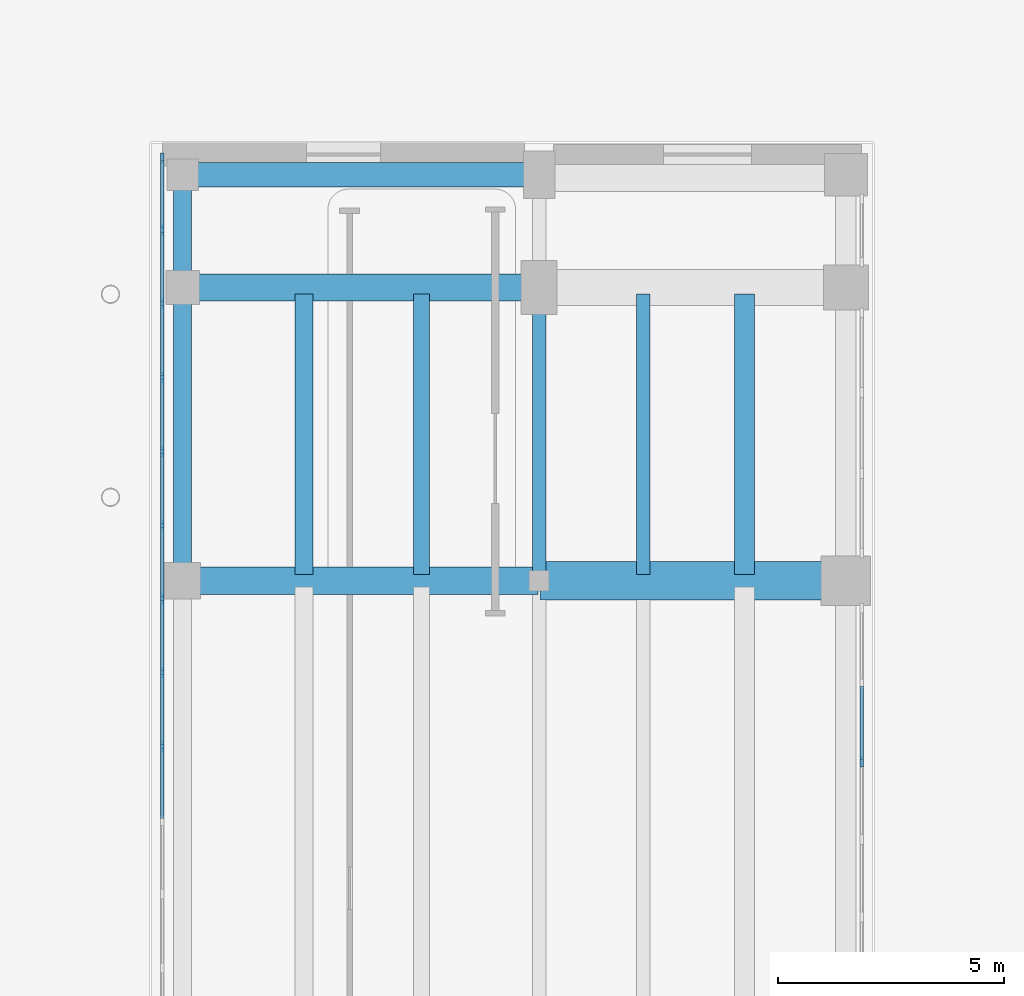
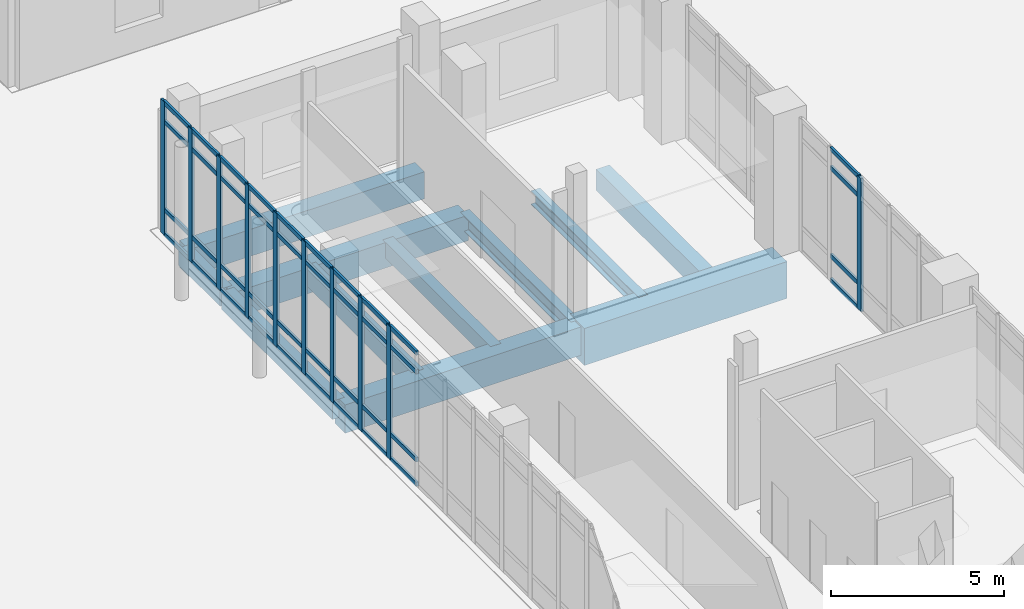
# One storey, part 19 of 74: 50 members, 11 beams, 2 elements without a shape of their own.
"""IFC4 building model written with IfcOpenShell, lengths in metres."""

import ifcopenshell
import ifcopenshell.guid

model = None  # the IFC model being written
_history = None  # IfcOwnerHistory: only IFC2X3 demands one
_inside = {}  # id of a spatial element -> (the spatial element, [elements in it])
_under = {}  # id of a project, library or spatial element -> (it, [spatial elements below it])
_declared = {}  # id of a project -> (the project, [libraries it declares])
_typed = {}  # id of a type object -> (the type object, [elements of that type])
_made_of = {}  # id of a material, layer set ... -> (it, [elements and type objects made of it])


def new_model(schema):
    """Start an empty IFC model of exactly this schema.

    Asked for "IFC4X3", IfcOpenShell would pick the latest addendum, in which some entities
    have other attributes; the version numbers below select the first issue.
    IFC2X3 requires an IfcOwnerHistory on every rooted entity: one is made here for all.
    """
    global model, _history
    if schema == "IFC4X3":
        model = ifcopenshell.file(schema_version=(4, 3, 0, 0))
    else:
        model = ifcopenshell.file(schema=schema)
    _inside.clear()
    _under.clear()
    _declared.clear()
    _typed.clear()
    _made_of.clear()
    _history = None
    if model.schema == "IFC2X3":
        org = make("IfcOrganization", Name="unknown")
        user = make(
            "IfcPersonAndOrganization",
            ThePerson=make("IfcPerson", FamilyName="unknown"),
            TheOrganization=org,
        )
        app = make(
            "IfcApplication",
            ApplicationDeveloper=org,
            Version="unknown",
            ApplicationFullName="unknown",
            ApplicationIdentifier="unknown",
        )
        _history = make(
            "IfcOwnerHistory",
            OwningUser=user,
            OwningApplication=app,
            ChangeAction="ADDED",
            CreationDate=0,
        )
    return model


def make(cls, **values):
    """One entity of the class cls with the attributes given. An attribute that is None is left unset."""
    return model.create_entity(
        cls, **{name: value for name, value in values.items() if value is not None}
    )


def rooted(cls, **values):
    """An entity with a GlobalId (a new one), such as an element, a storey or a relation."""
    return make(cls, GlobalId=ifcopenshell.guid.new(), OwnerHistory=_history, **values)


def si_unit(unit_type, name, prefix=None):
    """IfcSIUnit, for example si_unit("LENGTHUNIT", "METRE", prefix="MILLI")."""
    return make("IfcSIUnit", UnitType=unit_type, Prefix=prefix, Name=name)


def assignment(units):
    """IfcUnitAssignment: the units of a project."""
    return None if units is None else make("IfcUnitAssignment", Units=units)


def point(xyz):
    """IfcCartesianPoint."""
    return None if xyz is None else make("IfcCartesianPoint", Coordinates=xyz)


def direction(xyz):
    """IfcDirection."""
    return None if xyz is None else make("IfcDirection", DirectionRatios=xyz)


def frame(location, z_axis=None, x_axis=None):
    """IfcAxis2Placement3D, a coordinate frame: its origin and axes. An axis left out is left unset."""
    return make(
        "IfcAxis2Placement3D",
        Location=point(location),
        Axis=direction(z_axis),
        RefDirection=direction(x_axis),
    )


def frame_2d(location, x_axis=None):
    """IfcAxis2Placement2D, a coordinate frame in the plane: its origin and x axis."""
    return make(
        "IfcAxis2Placement2D", Location=point(location), RefDirection=direction(x_axis)
    )


def origin():
    """The frame at (0, 0, 0) with its axes left unset."""
    return frame((0.0, 0.0, 0.0))


def origin_2d():
    """The frame at (0, 0) in the plane with its x axis left unset."""
    return frame_2d((0.0, 0.0))


def place(relative_to, where):
    """IfcLocalPlacement: puts the frame where relative to a parent placement (None: the world)."""
    return make(
        "IfcLocalPlacement", PlacementRelTo=relative_to, RelativePlacement=where
    )


def context(
    kind, dimensions, precision=None, world=None, true_north=None, identifier=None
):
    """IfcGeometricRepresentationContext, for example the 3D "Model" context."""
    return make(
        "IfcGeometricRepresentationContext",
        ContextIdentifier=identifier,
        ContextType=kind,
        CoordinateSpaceDimension=dimensions,
        Precision=precision,
        WorldCoordinateSystem=world,
        TrueNorth=true_north,
    )


def subcontext(parent, identifier, kind, view, scale=None):
    """IfcGeometricRepresentationSubContext, for example "Body" below "Model"."""
    return make(
        "IfcGeometricRepresentationSubContext",
        ContextIdentifier=identifier,
        ContextType=kind,
        ParentContext=parent,
        TargetScale=scale,
        TargetView=view,
    )


def project(units=None, contexts=None):
    """IfcProject with its units and contexts."""
    return rooted(
        "IfcProject",
        Name="project",
        RepresentationContexts=contexts,
        UnitsInContext=assignment(units),
    )


def spatial(cls, under=None, at=None, **own):
    """A site, building, storey or space (cls), placed at a placement, below another one or the project."""
    s = rooted(cls, ObjectPlacement=at, **own)
    if under is not None:
        _under.setdefault(under.id(), (under, []))[1].append(s)
    return s


def profile(cls, at=None, kind="AREA", **sizes):
    """A parametric profile (cls). Its sizes go by their IFC names, for example OverallWidth=200.0."""
    return make(cls, ProfileType=kind, Position=at, **sizes)


def rectangle(**sizes):
    """IfcRectangleProfileDef."""
    return profile("IfcRectangleProfileDef", **sizes)


def i_section(**sizes):
    """IfcIShapeProfileDef."""
    return profile("IfcIShapeProfileDef", **sizes)


def extrude(swept, where, along, depth):
    """IfcExtrudedAreaSolid: the profile swept, set in the frame where, extruded along a direction by depth."""
    return make(
        "IfcExtrudedAreaSolid",
        SweptArea=swept,
        Position=where,
        ExtrudedDirection=direction(along),
        Depth=depth,
    )


def shape(context_of_items, identifier, shape_type, items):
    """IfcShapeRepresentation: the items that make up one representation, for example the "Body"."""
    return make(
        "IfcShapeRepresentation",
        ContextOfItems=context_of_items,
        RepresentationIdentifier=identifier,
        RepresentationType=shape_type,
        Items=items,
    )


def material(Name=None, Category=None):
    """IfcMaterial."""
    return make("IfcMaterial", Name=Name, Category=Category)


def material_profile(
    of_material, cross_section, Name=None, Category=None, Priority=None
):
    """IfcMaterialProfile: a cross section and its material."""
    return make(
        "IfcMaterialProfile",
        Name=Name,
        Material=of_material,
        Profile=cross_section,
        Priority=Priority,
        Category=Category,
    )


def profile_set(profiles, Name=None, composite=None):
    """IfcMaterialProfileSet."""
    return make(
        "IfcMaterialProfileSet",
        Name=Name,
        MaterialProfiles=profiles,
        CompositeProfile=composite,
    )


def made_of(thing, what):
    """Note that an element or type object is made of a material, layer set ...; save() writes the relation."""
    if what is not None:
        _made_of.setdefault(what.id(), (what, []))[1].append(thing)
    return thing


def type_object(cls, material=None, **own):
    """A type object (cls), such as IfcWallType, which elements share."""
    return made_of(rooted(cls, **own), material)


def element(
    cls,
    number,
    at=None,
    inside=None,
    cuts=None,
    type_object=None,
    material=None,
    context=None,
    identifier="Body",
    shape_type=None,
    held_by="IfcProductDefinitionShape",
    body=None,
    shapes=None,
    **own,
):
    """One element of the class cls, such as IfcWall. Its Tag is "e" and its number.

    at: its placement. inside: the storey or other place that contains it. cuts: it is an
    opening in that element (IfcRelVoidsElement). A single representation is given by context,
    identifier, shape_type and body (its items); several are given by shapes. held_by: the class
    of the entity that holds the representations. save() writes the other relations.
    """
    e = rooted(cls, Tag="e%d" % number, ObjectPlacement=at, **own)
    if body is not None:
        shapes = [shape(context, identifier, shape_type, body)]
    if shapes is not None:
        e.Representation = make(held_by, Representations=shapes)
    if inside is not None:
        _inside.setdefault(inside.id(), (inside, []))[1].append(e)
    if cuts is not None:
        rooted(
            "IfcRelVoidsElement", RelatingBuildingElement=cuts, RelatedOpeningElement=e
        )
    if type_object is not None:
        _typed.setdefault(type_object.id(), (type_object, []))[1].append(e)
    return made_of(e, material)


def aggregate(whole, parts):
    """IfcRelAggregates: a whole, such as a stair, and the parts it consists of."""
    return rooted("IfcRelAggregates", RelatingObject=whole, RelatedObjects=parts)


def save(model, path):
    """Write the relations noted so far, then the file.

    IfcRelAggregates (storeys below a building ...), IfcRelContainedInSpatialStructure (elements
    in a storey), IfcRelDefinesByType, IfcRelAssociatesMaterial and IfcRelDeclares: one each for
    every whole, place, type object, material and project.
    """
    for whole, parts in _under.values():
        aggregate(whole, parts)
    for where, things in _inside.values():
        rooted(
            "IfcRelContainedInSpatialStructure",
            RelatedElements=things,
            RelatingStructure=where,
        )
    for kind, things in _typed.values():
        rooted("IfcRelDefinesByType", RelatedObjects=things, RelatingType=kind)
    for what, things in _made_of.values():
        rooted("IfcRelAssociatesMaterial", RelatedObjects=things, RelatingMaterial=what)
    for by, libraries in _declared.values():
        rooted("IfcRelDeclares", RelatingContext=by, RelatedDefinitions=libraries)
    model.write(path)


model = new_model("IFC4")

# Units and contexts
model_context = context("Model", 3, precision=1e-05, world=origin(), true_north=direction((0.0, 1.0)))
body_context = subcontext(model_context, "Body", "Model", "MODEL_VIEW")
ifc_project = project(units=[si_unit("LENGTHUNIT", "METRE"), si_unit("AREAUNIT", "SQUARE_METRE"), si_unit("VOLUMEUNIT", "CUBIC_METRE"), si_unit("PLANEANGLEUNIT", "RADIAN"), si_unit("MASSUNIT", "GRAM", prefix="KILO")], contexts=[model_context])

# Site, building, storey
site_placement = place(None, origin())
site = spatial("IfcSite", under=ifc_project, at=site_placement, CompositionType="ELEMENT")
building_placement = place(site_placement, origin())
building = spatial("IfcBuilding", under=site, at=building_placement, Name="Soyqirgoq Riverine Aquarium", CompositionType="ELEMENT")
storey_placement = place(building_placement, origin())
storey = spatial("IfcBuildingStorey", under=building, at=storey_placement, Name="L01", CompositionType="ELEMENT", Elevation=0.0)

# Beams
ifc_material_1 = material(Name="Concrete C40/50", Category="concrete")
ifc_material_profile_1 = material_profile(ifc_material_1, rectangle(XDim=0.39990234375, YDim=0.60009765625, at=origin_2d()), Name="RC 400x600")
ifc_profile_set_1 = profile_set([ifc_material_profile_1], Name="Concrete C40/50")
beam_type_1 = type_object("IfcBeamType", Name="Beam_RC_400x600", PredefinedType="JOIST", material=ifc_profile_set_1)
beam_1_placement = place(storey_placement, frame((114.699951171875, 44.85009765625, -0.64990234375), z_axis=(0.0, 1.0, 0.0), x_axis=(-1.0, 0.0, 0.0)))
element("IfcBeam", 1, at=beam_1_placement, inside=storey, type_object=beam_type_1, Name="V6 L01 North-South Frame Beam 1016", PredefinedType="JOIST", context=body_context, shape_type="SweptSolid", body=[
    extrude(rectangle(XDim=0.39990234375, YDim=0.60009765625, at=origin_2d()), origin(), (0.0, 0.0, 1.0), 2.39990234375),
])
beam_2_placement = place(storey_placement, frame((117.385986328125, 38.43994140625, -0.64990234375), z_axis=(0.0, 1.0, 0.0), x_axis=(-1.0, 0.0, 0.0)))
element("IfcBeam", 2, at=beam_2_placement, inside=storey, type_object=beam_type_1, Name="V6 L01 Secondary Bay Joist 1078", PredefinedType="JOIST", context=body_context, shape_type="SweptSolid", body=[
    extrude(rectangle(XDim=0.39990234375, YDim=0.60009765625, at=origin_2d()), origin(), (0.0, 0.0, 1.0), 6.219970703125),
])
ifc_material_2 = material(Name="Concrete C40/50", Category="concrete")
ifc_material_profile_2 = material_profile(ifc_material_2, rectangle(XDim=0.39990234375, YDim=0.64990234375, at=origin_2d()), Name="RC 400x650")
ifc_profile_set_2 = profile_set([ifc_material_profile_2], Name="Concrete C40/50")
beam_type_2 = type_object("IfcBeamType", Name="Beam_RC_400x650", PredefinedType="BEAM", material=ifc_profile_set_2)
beam_3_placement = place(storey_placement, frame((114.699951171875, 38.35009765625, -0.675048828125), z_axis=(0.0, 1.0, 0.0), x_axis=(-1.0, 0.0, 0.0)))
element("IfcBeam", 3, at=beam_3_placement, inside=storey, type_object=beam_type_2, Name="V6 L01 North-South Frame Beam 1014", PredefinedType="BEAM", context=body_context, shape_type="SweptSolid", body=[
    extrude(rectangle(XDim=0.39990234375, YDim=0.64990234375, at=origin_2d()), origin(), (0.0, 0.0, 1.0), 6.39990234375),
])
ifc_material_3 = material(Name="Concrete C40/50", Category="concrete")
ifc_material_profile_3 = material_profile(ifc_material_3, rectangle(XDim=0.449951171875, YDim=0.75, at=origin_2d()), Name="RC 450x750")
ifc_profile_set_3 = profile_set([ifc_material_profile_3], Name="Concrete C40/50")
beam_type_3 = type_object("IfcBeamType", Name="Beam_RC_450x750", PredefinedType="BEAM", material=ifc_profile_set_3)
beam_4_placement = place(storey_placement, frame((127.156005859375, 38.43994140625, -0.72509765625), z_axis=(0.0, 1.0, 0.0), x_axis=(-1.0, 0.0, 0.0)))
element("IfcBeam", 4, at=beam_4_placement, inside=storey, type_object=beam_type_3, Name="V6 L01 Secondary Bay Joist 1081", PredefinedType="BEAM", context=body_context, shape_type="SweptSolid", body=[
    extrude(rectangle(XDim=0.449951171875, YDim=0.75, at=origin_2d()), origin(), (0.0, 0.0, 1.0), 6.219970703125),
])

# Curtain wall, members
ifc_material_4 = material(Name="Structural silicone glazed entrance curtain wall", Category="aluminium")
curtain_wall_type = type_object("IfcCurtainWallType", Name="CW_Portal_Entrance", PredefinedType="NOTDEFINED", material=ifc_material_4)
curtain_wall_1_placement = place(storey_placement, origin())
curtain_wall_1 = element("IfcCurtainWall", 5, at=curtain_wall_1_placement, inside=storey, type_object=curtain_wall_type, Name="V6 L01 Curtain Wall 106", PredefinedType="NOTDEFINED")
ifc_material_5 = material(Name="Anodised aluminium 6063-T6", Category="aluminium")
ifc_material_profile_4 = material_profile(ifc_material_5, rectangle(XDim=0.080078125, YDim=0.219970703125, at=origin_2d()), Name="ALU-M 80x220")
ifc_profile_set_4 = profile_set([ifc_material_profile_4], Name="Anodised aluminium 6063-T6")
member_type_1 = type_object("IfcMemberType", Name="CWMullion_80x220", PredefinedType="MULLION", material=ifc_profile_set_4)
member_1_placement = place(storey_placement, frame((114.25, 34.62548828125, 0.0), z_axis=(0.0, 0.0, 1.0), x_axis=(-1.0, 0.0, 0.0)))
member_1 = element("IfcMember", 6, at=member_1_placement, type_object=member_type_1, Name="CW-04 mullion 11", PredefinedType="MULLION", context=body_context, shape_type="SweptSolid", body=[
    extrude(rectangle(XDim=0.080078125, YDim=0.219970703125, at=origin_2d()), origin(), (0.0, 0.0, 1.0), 4.699951171875),
])
member_2_placement = place(storey_placement, frame((114.25, 36.26123046875, 0.0), z_axis=(0.0, 0.0, 1.0), x_axis=(-1.0, 0.0, 0.0)))
member_2 = element("IfcMember", 7, at=member_2_placement, type_object=member_type_1, Name="CW-04 mullion 12", PredefinedType="MULLION", context=body_context, shape_type="SweptSolid", body=[
    extrude(rectangle(XDim=0.080078125, YDim=0.219970703125, at=origin_2d()), origin(), (0.0, 0.0, 1.0), 4.699951171875),
])
member_3_placement = place(storey_placement, frame((114.25, 37.896728515625, 0.0), z_axis=(0.0, 0.0, 1.0), x_axis=(-1.0, 0.0, 0.0)))
member_3 = element("IfcMember", 8, at=member_3_placement, type_object=member_type_1, Name="CW-04 mullion 13", PredefinedType="MULLION", context=body_context, shape_type="SweptSolid", body=[
    extrude(rectangle(XDim=0.080078125, YDim=0.219970703125, at=origin_2d()), origin(), (0.0, 0.0, 1.0), 4.699951171875),
])
member_4_placement = place(storey_placement, frame((114.25, 39.5322265625, 0.0), z_axis=(0.0, 0.0, 1.0), x_axis=(-1.0, 0.0, 0.0)))
member_4 = element("IfcMember", 9, at=member_4_placement, type_object=member_type_1, Name="CW-04 mullion 14", PredefinedType="MULLION", context=body_context, shape_type="SweptSolid", body=[
    extrude(rectangle(XDim=0.080078125, YDim=0.219970703125, at=origin_2d()), origin(), (0.0, 0.0, 1.0), 4.699951171875),
])
member_5_placement = place(storey_placement, frame((114.25, 41.167724609375, 0.0), z_axis=(0.0, 0.0, 1.0), x_axis=(-1.0, 0.0, 0.0)))
member_5 = element("IfcMember", 10, at=member_5_placement, type_object=member_type_1, Name="CW-04 mullion 15", PredefinedType="MULLION", context=body_context, shape_type="SweptSolid", body=[
    extrude(rectangle(XDim=0.080078125, YDim=0.219970703125, at=origin_2d()), origin(), (0.0, 0.0, 1.0), 4.699951171875),
])
member_6_placement = place(storey_placement, frame((114.25, 42.80322265625, 0.0), z_axis=(0.0, 0.0, 1.0), x_axis=(-1.0, 0.0, 0.0)))
member_6 = element("IfcMember", 11, at=member_6_placement, type_object=member_type_1, Name="CW-04 mullion 16", PredefinedType="MULLION", context=body_context, shape_type="SweptSolid", body=[
    extrude(rectangle(XDim=0.080078125, YDim=0.219970703125, at=origin_2d()), origin(), (0.0, 0.0, 1.0), 4.699951171875),
])
member_7_placement = place(storey_placement, frame((114.25, 44.43896484375, 0.0), z_axis=(0.0, 0.0, 1.0), x_axis=(-1.0, 0.0, 0.0)))
member_7 = element("IfcMember", 12, at=member_7_placement, type_object=member_type_1, Name="CW-04 mullion 17", PredefinedType="MULLION", context=body_context, shape_type="SweptSolid", body=[
    extrude(rectangle(XDim=0.080078125, YDim=0.219970703125, at=origin_2d()), origin(), (0.0, 0.0, 1.0), 4.699951171875),
])
member_8_placement = place(storey_placement, frame((114.25, 46.074462890625, 0.0), z_axis=(0.0, 0.0, 1.0), x_axis=(-1.0, 0.0, 0.0)))
member_8 = element("IfcMember", 13, at=member_8_placement, type_object=member_type_1, Name="CW-04 mullion 18", PredefinedType="MULLION", context=body_context, shape_type="SweptSolid", body=[
    extrude(rectangle(XDim=0.080078125, YDim=0.219970703125, at=origin_2d()), origin(), (0.0, 0.0, 1.0), 4.699951171875),
])
member_9_placement = place(storey_placement, frame((114.25, 47.669921875, 0.0), z_axis=(0.0, 0.0, 1.0), x_axis=(-1.0, 0.0, 0.0)))
member_9 = element("IfcMember", 14, at=member_9_placement, type_object=member_type_1, Name="CW-04 mullion 19", PredefinedType="MULLION", context=body_context, shape_type="SweptSolid", body=[
    extrude(rectangle(XDim=0.080078125, YDim=0.219970703125, at=origin_2d()), origin(), (0.0, 0.0, 1.0), 4.699951171875),
])

# Curtain wall, member
curtain_wall_2_placement = place(storey_placement, origin())
curtain_wall_2 = element("IfcCurtainWall", 15, at=curtain_wall_2_placement, inside=storey, type_object=curtain_wall_type, Name="V6 L01 Curtain Wall 109", PredefinedType="NOTDEFINED")
member_10_placement = place(storey_placement, frame((129.75, 34.285888671875, 0.0), z_axis=(0.0, 0.0, 1.0), x_axis=(1.0, 0.0, 0.0)))
member_10 = element("IfcMember", 16, at=member_10_placement, type_object=member_type_1, Name="CW-04 mullion 3", PredefinedType="MULLION", context=body_context, shape_type="SweptSolid", body=[
    extrude(rectangle(XDim=0.080078125, YDim=0.219970703125, at=origin_2d()), origin(), (0.0, 0.0, 1.0), 4.699951171875),
])

# Member
ifc_material_6 = material(Name="Anodised aluminium 6063-T6", Category="aluminium")
ifc_material_profile_5 = material_profile(ifc_material_6, rectangle(XDim=0.074951171875, YDim=0.14990234375, at=origin_2d()), Name="ALU-T 75x150")
ifc_profile_set_5 = profile_set([ifc_material_profile_5], Name="Anodised aluminium 6063-T6")
member_type_2 = type_object("IfcMemberType", Name="CWTransom_75x150", PredefinedType="USERDEFINED", material=ifc_profile_set_5)
member_11_placement = place(storey_placement, frame((114.25, 33.030029296875, 0.03759765625), z_axis=(0.0, 1.0, 0.0), x_axis=(-1.0, 0.0, 0.0)))
member_11 = element("IfcMember", 17, at=member_11_placement, type_object=member_type_2, Name="CW-04 transom 10.1", ObjectType="TRANSOM", PredefinedType="USERDEFINED", context=body_context, shape_type="SweptSolid", body=[
    extrude(rectangle(XDim=0.074951171875, YDim=0.14990234375, at=origin_2d()), origin(), (0.0, 0.0, 1.0), 1.555419921875),
])

member_12_placement = place(storey_placement, frame((114.25, 33.030029296875, 0.89990234375), z_axis=(0.0, 1.0, 0.0), x_axis=(-1.0, 0.0, 0.0)))
member_12 = element("IfcMember", 18, at=member_12_placement, type_object=member_type_2, Name="CW-04 transom 10.2", ObjectType="TRANSOM", PredefinedType="USERDEFINED", context=body_context, shape_type="SweptSolid", body=[
    extrude(rectangle(XDim=0.074951171875, YDim=0.14990234375, at=origin_2d()), origin(), (0.0, 0.0, 1.0), 1.555419921875),
])

member_13_placement = place(storey_placement, frame((114.25, 33.030029296875, 4.0), z_axis=(0.0, 1.0, 0.0), x_axis=(-1.0, 0.0, 0.0)))
member_13 = element("IfcMember", 19, at=member_13_placement, type_object=member_type_2, Name="CW-04 transom 10.3", ObjectType="TRANSOM", PredefinedType="USERDEFINED", context=body_context, shape_type="SweptSolid", body=[
    extrude(rectangle(XDim=0.074951171875, YDim=0.14990234375, at=origin_2d()), origin(), (0.0, 0.0, 1.0), 1.555419921875),
])

member_14_placement = place(storey_placement, frame((114.25, 33.030029296875, 4.66259765625), z_axis=(0.0, 1.0, 0.0), x_axis=(-1.0, 0.0, 0.0)))
member_14 = element("IfcMember", 20, at=member_14_placement, type_object=member_type_2, Name="CW-04 transom 10.4", ObjectType="TRANSOM", PredefinedType="USERDEFINED", context=body_context, shape_type="SweptSolid", body=[
    extrude(rectangle(XDim=0.074951171875, YDim=0.14990234375, at=origin_2d()), origin(), (0.0, 0.0, 1.0), 1.555419921875),
])

member_15_placement = place(storey_placement, frame((114.25, 34.66552734375, 0.03759765625), z_axis=(0.0, 1.0, 0.0), x_axis=(-1.0, 0.0, 0.0)))
member_15 = element("IfcMember", 21, at=member_15_placement, type_object=member_type_2, Name="CW-04 transom 11.1", ObjectType="TRANSOM", PredefinedType="USERDEFINED", context=body_context, shape_type="SweptSolid", body=[
    extrude(rectangle(XDim=0.074951171875, YDim=0.14990234375, at=origin_2d()), origin(), (0.0, 0.0, 1.0), 1.5556640625),
])

member_16_placement = place(storey_placement, frame((114.25, 34.66552734375, 0.89990234375), z_axis=(0.0, 1.0, 0.0), x_axis=(-1.0, 0.0, 0.0)))
member_16 = element("IfcMember", 22, at=member_16_placement, type_object=member_type_2, Name="CW-04 transom 11.2", ObjectType="TRANSOM", PredefinedType="USERDEFINED", context=body_context, shape_type="SweptSolid", body=[
    extrude(rectangle(XDim=0.074951171875, YDim=0.14990234375, at=origin_2d()), origin(), (0.0, 0.0, 1.0), 1.5556640625),
])

member_17_placement = place(storey_placement, frame((114.25, 34.66552734375, 4.0), z_axis=(0.0, 1.0, 0.0), x_axis=(-1.0, 0.0, 0.0)))
member_17 = element("IfcMember", 23, at=member_17_placement, type_object=member_type_2, Name="CW-04 transom 11.3", ObjectType="TRANSOM", PredefinedType="USERDEFINED", context=body_context, shape_type="SweptSolid", body=[
    extrude(rectangle(XDim=0.074951171875, YDim=0.14990234375, at=origin_2d()), origin(), (0.0, 0.0, 1.0), 1.5556640625),
])

member_18_placement = place(storey_placement, frame((114.25, 34.66552734375, 4.66259765625), z_axis=(0.0, 1.0, 0.0), x_axis=(-1.0, 0.0, 0.0)))
member_18 = element("IfcMember", 24, at=member_18_placement, type_object=member_type_2, Name="CW-04 transom 11.4", ObjectType="TRANSOM", PredefinedType="USERDEFINED", context=body_context, shape_type="SweptSolid", body=[
    extrude(rectangle(XDim=0.074951171875, YDim=0.14990234375, at=origin_2d()), origin(), (0.0, 0.0, 1.0), 1.5556640625),
])

member_19_placement = place(storey_placement, frame((114.25, 36.301025390625, 0.03759765625), z_axis=(0.0, 1.0, 0.0), x_axis=(-1.0, 0.0, 0.0)))
member_19 = element("IfcMember", 25, at=member_19_placement, type_object=member_type_2, Name="CW-04 transom 12.1", ObjectType="TRANSOM", PredefinedType="USERDEFINED", context=body_context, shape_type="SweptSolid", body=[
    extrude(rectangle(XDim=0.074951171875, YDim=0.14990234375, at=origin_2d()), origin(), (0.0, 0.0, 1.0), 1.5556640625),
])

member_20_placement = place(storey_placement, frame((114.25, 36.301025390625, 0.89990234375), z_axis=(0.0, 1.0, 0.0), x_axis=(-1.0, 0.0, 0.0)))
member_20 = element("IfcMember", 26, at=member_20_placement, type_object=member_type_2, Name="CW-04 transom 12.2", ObjectType="TRANSOM", PredefinedType="USERDEFINED", context=body_context, shape_type="SweptSolid", body=[
    extrude(rectangle(XDim=0.074951171875, YDim=0.14990234375, at=origin_2d()), origin(), (0.0, 0.0, 1.0), 1.5556640625),
])

member_21_placement = place(storey_placement, frame((114.25, 36.301025390625, 4.0), z_axis=(0.0, 1.0, 0.0), x_axis=(-1.0, 0.0, 0.0)))
member_21 = element("IfcMember", 27, at=member_21_placement, type_object=member_type_2, Name="CW-04 transom 12.3", ObjectType="TRANSOM", PredefinedType="USERDEFINED", context=body_context, shape_type="SweptSolid", body=[
    extrude(rectangle(XDim=0.074951171875, YDim=0.14990234375, at=origin_2d()), origin(), (0.0, 0.0, 1.0), 1.5556640625),
])

member_22_placement = place(storey_placement, frame((114.25, 36.301025390625, 4.66259765625), z_axis=(0.0, 1.0, 0.0), x_axis=(-1.0, 0.0, 0.0)))
member_22 = element("IfcMember", 28, at=member_22_placement, type_object=member_type_2, Name="CW-04 transom 12.4", ObjectType="TRANSOM", PredefinedType="USERDEFINED", context=body_context, shape_type="SweptSolid", body=[
    extrude(rectangle(XDim=0.074951171875, YDim=0.14990234375, at=origin_2d()), origin(), (0.0, 0.0, 1.0), 1.5556640625),
])

member_23_placement = place(storey_placement, frame((114.25, 37.936767578125, 0.03759765625), z_axis=(0.0, 1.0, 0.0), x_axis=(-1.0, 0.0, 0.0)))
member_23 = element("IfcMember", 29, at=member_23_placement, type_object=member_type_2, Name="CW-04 transom 13.1", ObjectType="TRANSOM", PredefinedType="USERDEFINED", context=body_context, shape_type="SweptSolid", body=[
    extrude(rectangle(XDim=0.074951171875, YDim=0.14990234375, at=origin_2d()), origin(), (0.0, 0.0, 1.0), 1.555419921875),
])

member_24_placement = place(storey_placement, frame((114.25, 37.936767578125, 0.89990234375), z_axis=(0.0, 1.0, 0.0), x_axis=(-1.0, 0.0, 0.0)))
member_24 = element("IfcMember", 30, at=member_24_placement, type_object=member_type_2, Name="CW-04 transom 13.2", ObjectType="TRANSOM", PredefinedType="USERDEFINED", context=body_context, shape_type="SweptSolid", body=[
    extrude(rectangle(XDim=0.074951171875, YDim=0.14990234375, at=origin_2d()), origin(), (0.0, 0.0, 1.0), 1.555419921875),
])

member_25_placement = place(storey_placement, frame((114.25, 37.936767578125, 4.0), z_axis=(0.0, 1.0, 0.0), x_axis=(-1.0, 0.0, 0.0)))
member_25 = element("IfcMember", 31, at=member_25_placement, type_object=member_type_2, Name="CW-04 transom 13.3", ObjectType="TRANSOM", PredefinedType="USERDEFINED", context=body_context, shape_type="SweptSolid", body=[
    extrude(rectangle(XDim=0.074951171875, YDim=0.14990234375, at=origin_2d()), origin(), (0.0, 0.0, 1.0), 1.555419921875),
])

member_26_placement = place(storey_placement, frame((114.25, 37.936767578125, 4.66259765625), z_axis=(0.0, 1.0, 0.0), x_axis=(-1.0, 0.0, 0.0)))
member_26 = element("IfcMember", 32, at=member_26_placement, type_object=member_type_2, Name="CW-04 transom 13.4", ObjectType="TRANSOM", PredefinedType="USERDEFINED", context=body_context, shape_type="SweptSolid", body=[
    extrude(rectangle(XDim=0.074951171875, YDim=0.14990234375, at=origin_2d()), origin(), (0.0, 0.0, 1.0), 1.555419921875),
])

member_27_placement = place(storey_placement, frame((114.25, 39.572265625, 0.03759765625), z_axis=(0.0, 1.0, 0.0), x_axis=(-1.0, 0.0, 0.0)))
member_27 = element("IfcMember", 33, at=member_27_placement, type_object=member_type_2, Name="CW-04 transom 14.1", ObjectType="TRANSOM", PredefinedType="USERDEFINED", context=body_context, shape_type="SweptSolid", body=[
    extrude(rectangle(XDim=0.074951171875, YDim=0.14990234375, at=origin_2d()), origin(), (0.0, 0.0, 1.0), 1.555419921875),
])

member_28_placement = place(storey_placement, frame((114.25, 39.572265625, 0.89990234375), z_axis=(0.0, 1.0, 0.0), x_axis=(-1.0, 0.0, 0.0)))
member_28 = element("IfcMember", 34, at=member_28_placement, type_object=member_type_2, Name="CW-04 transom 14.2", ObjectType="TRANSOM", PredefinedType="USERDEFINED", context=body_context, shape_type="SweptSolid", body=[
    extrude(rectangle(XDim=0.074951171875, YDim=0.14990234375, at=origin_2d()), origin(), (0.0, 0.0, 1.0), 1.555419921875),
])

member_29_placement = place(storey_placement, frame((114.25, 39.572265625, 4.0), z_axis=(0.0, 1.0, 0.0), x_axis=(-1.0, 0.0, 0.0)))
member_29 = element("IfcMember", 35, at=member_29_placement, type_object=member_type_2, Name="CW-04 transom 14.3", ObjectType="TRANSOM", PredefinedType="USERDEFINED", context=body_context, shape_type="SweptSolid", body=[
    extrude(rectangle(XDim=0.074951171875, YDim=0.14990234375, at=origin_2d()), origin(), (0.0, 0.0, 1.0), 1.555419921875),
])

member_30_placement = place(storey_placement, frame((114.25, 39.572265625, 4.66259765625), z_axis=(0.0, 1.0, 0.0), x_axis=(-1.0, 0.0, 0.0)))
member_30 = element("IfcMember", 36, at=member_30_placement, type_object=member_type_2, Name="CW-04 transom 14.4", ObjectType="TRANSOM", PredefinedType="USERDEFINED", context=body_context, shape_type="SweptSolid", body=[
    extrude(rectangle(XDim=0.074951171875, YDim=0.14990234375, at=origin_2d()), origin(), (0.0, 0.0, 1.0), 1.555419921875),
])

member_31_placement = place(storey_placement, frame((114.25, 41.207763671875, 0.03759765625), z_axis=(0.0, 1.0, 0.0), x_axis=(-1.0, 0.0, 0.0)))
member_31 = element("IfcMember", 37, at=member_31_placement, type_object=member_type_2, Name="CW-04 transom 15.1", ObjectType="TRANSOM", PredefinedType="USERDEFINED", context=body_context, shape_type="SweptSolid", body=[
    extrude(rectangle(XDim=0.074951171875, YDim=0.14990234375, at=origin_2d()), origin(), (0.0, 0.0, 1.0), 1.5556640625),
])

member_32_placement = place(storey_placement, frame((114.25, 41.207763671875, 0.89990234375), z_axis=(0.0, 1.0, 0.0), x_axis=(-1.0, 0.0, 0.0)))
member_32 = element("IfcMember", 38, at=member_32_placement, type_object=member_type_2, Name="CW-04 transom 15.2", ObjectType="TRANSOM", PredefinedType="USERDEFINED", context=body_context, shape_type="SweptSolid", body=[
    extrude(rectangle(XDim=0.074951171875, YDim=0.14990234375, at=origin_2d()), origin(), (0.0, 0.0, 1.0), 1.5556640625),
])

member_33_placement = place(storey_placement, frame((114.25, 41.207763671875, 4.0), z_axis=(0.0, 1.0, 0.0), x_axis=(-1.0, 0.0, 0.0)))
member_33 = element("IfcMember", 39, at=member_33_placement, type_object=member_type_2, Name="CW-04 transom 15.3", ObjectType="TRANSOM", PredefinedType="USERDEFINED", context=body_context, shape_type="SweptSolid", body=[
    extrude(rectangle(XDim=0.074951171875, YDim=0.14990234375, at=origin_2d()), origin(), (0.0, 0.0, 1.0), 1.5556640625),
])

member_34_placement = place(storey_placement, frame((114.25, 41.207763671875, 4.66259765625), z_axis=(0.0, 1.0, 0.0), x_axis=(-1.0, 0.0, 0.0)))
member_34 = element("IfcMember", 40, at=member_34_placement, type_object=member_type_2, Name="CW-04 transom 15.4", ObjectType="TRANSOM", PredefinedType="USERDEFINED", context=body_context, shape_type="SweptSolid", body=[
    extrude(rectangle(XDim=0.074951171875, YDim=0.14990234375, at=origin_2d()), origin(), (0.0, 0.0, 1.0), 1.5556640625),
])

member_35_placement = place(storey_placement, frame((114.25, 42.84326171875, 0.03759765625), z_axis=(0.0, 1.0, 0.0), x_axis=(-1.0, 0.0, 0.0)))
member_35 = element("IfcMember", 41, at=member_35_placement, type_object=member_type_2, Name="CW-04 transom 16.1", ObjectType="TRANSOM", PredefinedType="USERDEFINED", context=body_context, shape_type="SweptSolid", body=[
    extrude(rectangle(XDim=0.074951171875, YDim=0.14990234375, at=origin_2d()), origin(), (0.0, 0.0, 1.0), 1.5556640625),
])

member_36_placement = place(storey_placement, frame((114.25, 42.84326171875, 0.89990234375), z_axis=(0.0, 1.0, 0.0), x_axis=(-1.0, 0.0, 0.0)))
member_36 = element("IfcMember", 42, at=member_36_placement, type_object=member_type_2, Name="CW-04 transom 16.2", ObjectType="TRANSOM", PredefinedType="USERDEFINED", context=body_context, shape_type="SweptSolid", body=[
    extrude(rectangle(XDim=0.074951171875, YDim=0.14990234375, at=origin_2d()), origin(), (0.0, 0.0, 1.0), 1.5556640625),
])

member_37_placement = place(storey_placement, frame((114.25, 42.84326171875, 4.0), z_axis=(0.0, 1.0, 0.0), x_axis=(-1.0, 0.0, 0.0)))
member_37 = element("IfcMember", 43, at=member_37_placement, type_object=member_type_2, Name="CW-04 transom 16.3", ObjectType="TRANSOM", PredefinedType="USERDEFINED", context=body_context, shape_type="SweptSolid", body=[
    extrude(rectangle(XDim=0.074951171875, YDim=0.14990234375, at=origin_2d()), origin(), (0.0, 0.0, 1.0), 1.5556640625),
])

member_38_placement = place(storey_placement, frame((114.25, 42.84326171875, 4.66259765625), z_axis=(0.0, 1.0, 0.0), x_axis=(-1.0, 0.0, 0.0)))
member_38 = element("IfcMember", 44, at=member_38_placement, type_object=member_type_2, Name="CW-04 transom 16.4", ObjectType="TRANSOM", PredefinedType="USERDEFINED", context=body_context, shape_type="SweptSolid", body=[
    extrude(rectangle(XDim=0.074951171875, YDim=0.14990234375, at=origin_2d()), origin(), (0.0, 0.0, 1.0), 1.5556640625),
])

member_39_placement = place(storey_placement, frame((114.25, 44.47900390625, 0.03759765625), z_axis=(0.0, 1.0, 0.0), x_axis=(-1.0, 0.0, 0.0)))
member_39 = element("IfcMember", 45, at=member_39_placement, type_object=member_type_2, Name="CW-04 transom 17.1", ObjectType="TRANSOM", PredefinedType="USERDEFINED", context=body_context, shape_type="SweptSolid", body=[
    extrude(rectangle(XDim=0.074951171875, YDim=0.14990234375, at=origin_2d()), origin(), (0.0, 0.0, 1.0), 1.555419921875),
])

member_40_placement = place(storey_placement, frame((114.25, 44.47900390625, 0.89990234375), z_axis=(0.0, 1.0, 0.0), x_axis=(-1.0, 0.0, 0.0)))
member_40 = element("IfcMember", 46, at=member_40_placement, type_object=member_type_2, Name="CW-04 transom 17.2", ObjectType="TRANSOM", PredefinedType="USERDEFINED", context=body_context, shape_type="SweptSolid", body=[
    extrude(rectangle(XDim=0.074951171875, YDim=0.14990234375, at=origin_2d()), origin(), (0.0, 0.0, 1.0), 1.555419921875),
])

member_41_placement = place(storey_placement, frame((114.25, 44.47900390625, 4.0), z_axis=(0.0, 1.0, 0.0), x_axis=(-1.0, 0.0, 0.0)))
member_41 = element("IfcMember", 47, at=member_41_placement, type_object=member_type_2, Name="CW-04 transom 17.3", ObjectType="TRANSOM", PredefinedType="USERDEFINED", context=body_context, shape_type="SweptSolid", body=[
    extrude(rectangle(XDim=0.074951171875, YDim=0.14990234375, at=origin_2d()), origin(), (0.0, 0.0, 1.0), 1.555419921875),
])

member_42_placement = place(storey_placement, frame((114.25, 44.47900390625, 4.66259765625), z_axis=(0.0, 1.0, 0.0), x_axis=(-1.0, 0.0, 0.0)))
member_42 = element("IfcMember", 48, at=member_42_placement, type_object=member_type_2, Name="CW-04 transom 17.4", ObjectType="TRANSOM", PredefinedType="USERDEFINED", context=body_context, shape_type="SweptSolid", body=[
    extrude(rectangle(XDim=0.074951171875, YDim=0.14990234375, at=origin_2d()), origin(), (0.0, 0.0, 1.0), 1.555419921875),
])

member_43_placement = place(storey_placement, frame((114.25, 46.114501953125, 0.03759765625), z_axis=(0.0, 1.0, 0.0), x_axis=(-1.0, 0.0, 0.0)))
member_43 = element("IfcMember", 49, at=member_43_placement, type_object=member_type_2, Name="CW-04 transom 18.1", ObjectType="TRANSOM", PredefinedType="USERDEFINED", context=body_context, shape_type="SweptSolid", body=[
    extrude(rectangle(XDim=0.074951171875, YDim=0.14990234375, at=origin_2d()), origin(), (0.0, 0.0, 1.0), 1.515380859375),
])

member_44_placement = place(storey_placement, frame((114.25, 46.114501953125, 0.89990234375), z_axis=(0.0, 1.0, 0.0), x_axis=(-1.0, 0.0, 0.0)))
member_44 = element("IfcMember", 50, at=member_44_placement, type_object=member_type_2, Name="CW-04 transom 18.2", ObjectType="TRANSOM", PredefinedType="USERDEFINED", context=body_context, shape_type="SweptSolid", body=[
    extrude(rectangle(XDim=0.074951171875, YDim=0.14990234375, at=origin_2d()), origin(), (0.0, 0.0, 1.0), 1.515380859375),
])

member_45_placement = place(storey_placement, frame((114.25, 46.114501953125, 4.0), z_axis=(0.0, 1.0, 0.0), x_axis=(-1.0, 0.0, 0.0)))
member_45 = element("IfcMember", 51, at=member_45_placement, type_object=member_type_2, Name="CW-04 transom 18.3", ObjectType="TRANSOM", PredefinedType="USERDEFINED", context=body_context, shape_type="SweptSolid", body=[
    extrude(rectangle(XDim=0.074951171875, YDim=0.14990234375, at=origin_2d()), origin(), (0.0, 0.0, 1.0), 1.515380859375),
])

member_46_placement = place(storey_placement, frame((114.25, 46.114501953125, 4.66259765625), z_axis=(0.0, 1.0, 0.0), x_axis=(-1.0, 0.0, 0.0)))
member_46 = element("IfcMember", 52, at=member_46_placement, type_object=member_type_2, Name="CW-04 transom 18.4", ObjectType="TRANSOM", PredefinedType="USERDEFINED", context=body_context, shape_type="SweptSolid", body=[
    extrude(rectangle(XDim=0.074951171875, YDim=0.14990234375, at=origin_2d()), origin(), (0.0, 0.0, 1.0), 1.515380859375),
])

aggregate(curtain_wall_1, [member_1, member_2, member_3, member_4, member_5, member_6, member_7, member_8, member_9, member_11, member_12, member_13, member_14, member_15, member_16, member_17, member_18, member_19, member_20, member_21, member_22, member_23, member_24, member_25, member_26, member_27, member_28, member_29, member_30, member_31, member_32, member_33, member_34, member_35, member_36, member_37, member_38, member_39, member_40, member_41, member_42, member_43, member_44, member_45, member_46])

member_47_placement = place(storey_placement, frame((129.75, 35.968017578125, 0.03759765625), z_axis=(0.0, -1.0, 0.0), x_axis=(1.0, 0.0, 0.0)))
member_47 = element("IfcMember", 53, at=member_47_placement, type_object=member_type_2, Name="CW-04 transom 2.1", ObjectType="TRANSOM", PredefinedType="USERDEFINED", context=body_context, shape_type="SweptSolid", body=[
    extrude(rectangle(XDim=0.074951171875, YDim=0.14990234375, at=origin_2d()), origin(), (0.0, 0.0, 1.0), 1.64208984375),
])

member_48_placement = place(storey_placement, frame((129.75, 35.968017578125, 0.89990234375), z_axis=(0.0, -1.0, 0.0), x_axis=(1.0, 0.0, 0.0)))
member_48 = element("IfcMember", 54, at=member_48_placement, type_object=member_type_2, Name="CW-04 transom 2.2", ObjectType="TRANSOM", PredefinedType="USERDEFINED", context=body_context, shape_type="SweptSolid", body=[
    extrude(rectangle(XDim=0.074951171875, YDim=0.14990234375, at=origin_2d()), origin(), (0.0, 0.0, 1.0), 1.64208984375),
])

member_49_placement = place(storey_placement, frame((129.75, 35.968017578125, 4.0), z_axis=(0.0, -1.0, 0.0), x_axis=(1.0, 0.0, 0.0)))
member_49 = element("IfcMember", 55, at=member_49_placement, type_object=member_type_2, Name="CW-04 transom 2.3", ObjectType="TRANSOM", PredefinedType="USERDEFINED", context=body_context, shape_type="SweptSolid", body=[
    extrude(rectangle(XDim=0.074951171875, YDim=0.14990234375, at=origin_2d()), origin(), (0.0, 0.0, 1.0), 1.64208984375),
])

member_50_placement = place(storey_placement, frame((129.75, 35.968017578125, 4.66259765625), z_axis=(0.0, -1.0, 0.0), x_axis=(1.0, 0.0, 0.0)))
member_50 = element("IfcMember", 56, at=member_50_placement, type_object=member_type_2, Name="CW-04 transom 2.4", ObjectType="TRANSOM", PredefinedType="USERDEFINED", context=body_context, shape_type="SweptSolid", body=[
    extrude(rectangle(XDim=0.074951171875, YDim=0.14990234375, at=origin_2d()), origin(), (0.0, 0.0, 1.0), 1.64208984375),
])

aggregate(curtain_wall_2, [member_10, member_47, member_48, member_49, member_50])

# Beams
ifc_material_7 = material(Name="Concrete C40/50", Category="concrete")
ifc_material_profile_6 = material_profile(ifc_material_7, rectangle(XDim=0.550048828125, YDim=0.949951171875, at=origin_2d()), Name="RC 550x950")
ifc_profile_set_6 = profile_set([ifc_material_profile_6], Name="Concrete C40/50")
beam_type_4 = type_object("IfcBeamType", Name="Girder_RC_550x950", PredefinedType="BEAM", material=ifc_profile_set_6)
beam_5_placement = place(storey_placement, frame((114.719970703125, 47.300048828125, -0.824951171875), z_axis=(1.0, 0.0, 0.0), x_axis=(0.0, 1.0, 0.0)))
element("IfcBeam", 57, at=beam_5_placement, inside=storey, type_object=beam_type_4, Name="V6 L01 East-West Frame Girder 1018", PredefinedType="BEAM", context=body_context, shape_type="SweptSolid", body=[
    extrude(rectangle(XDim=0.550048828125, YDim=0.949951171875, at=origin_2d()), origin(), (0.0, 0.0, 1.0), 7.860107421875),
])
ifc_material_8 = material(Name="Concrete C40/50", Category="concrete")
ifc_material_profile_7 = material_profile(ifc_material_8, rectangle(XDim=0.60009765625, YDim=1.0, at=origin_2d()), Name="RC 600x1000")
ifc_profile_set_7 = profile_set([ifc_material_profile_7], Name="Concrete C40/50")
beam_type_5 = type_object("IfcBeamType", Name="Girder_RC_600x1000", PredefinedType="BEAM", material=ifc_profile_set_7)
beam_6_placement = place(storey_placement, frame((114.719970703125, 38.300048828125, -0.85009765625), z_axis=(1.0, 0.0, 0.0), x_axis=(0.0, 1.0, 0.0)))
element("IfcBeam", 58, at=beam_6_placement, inside=storey, type_object=beam_type_5, Name="V6 L01 East-West Frame Girder 1015", PredefinedType="BEAM", context=body_context, shape_type="SweptSolid", body=[
    extrude(rectangle(XDim=0.60009765625, YDim=1.0, at=origin_2d()), origin(), (0.0, 0.0, 1.0), 7.860107421875),
])
ifc_material_9 = material(Name="Concrete C40/50", Category="concrete")
ifc_material_profile_8 = material_profile(ifc_material_9, rectangle(XDim=0.60009765625, YDim=0.89990234375, at=origin_2d()), Name="RC 600x900")
ifc_profile_set_8 = profile_set([ifc_material_profile_8], Name="Concrete C40/50")
beam_type_6 = type_object("IfcBeamType", Name="Girder_RC_600x900", PredefinedType="BEAM", material=ifc_profile_set_8)
beam_7_placement = place(storey_placement, frame((114.719970703125, 44.800048828125, -0.800048828125), z_axis=(1.0, 0.0, 0.0), x_axis=(0.0, 1.0, 0.0)))
element("IfcBeam", 59, at=beam_7_placement, inside=storey, type_object=beam_type_6, Name="V6 L01 East-West Frame Girder 1017", PredefinedType="BEAM", context=body_context, shape_type="SweptSolid", body=[
    extrude(rectangle(XDim=0.60009765625, YDim=0.89990234375, at=origin_2d()), origin(), (0.0, 0.0, 1.0), 7.860107421875),
])
ifc_material_10 = material(Name="Concrete C40/50", Category="concrete")
ifc_material_profile_9 = material_profile(ifc_material_10, rectangle(XDim=0.85009765625, YDim=1.300048828125, at=origin_2d()), Name="RC 850x1300")
ifc_profile_set_9 = profile_set([ifc_material_profile_9], Name="Concrete C40/50")
beam_type_7 = type_object("IfcBeamType", Name="Girder_RC_850x1300", PredefinedType="BEAM", material=ifc_profile_set_9)
beam_8_placement = place(storey_placement, frame((122.6201171875, 38.300048828125, -1.0), z_axis=(1.0, 0.0, 0.0), x_axis=(0.0, 1.0, 0.0)))
element("IfcBeam", 60, at=beam_8_placement, inside=storey, type_object=beam_type_7, Name="V6 L01 East-West Frame Girder 1027", PredefinedType="BEAM", context=body_context, shape_type="SweptSolid", body=[
    extrude(rectangle(XDim=0.85009765625, YDim=1.300048828125, at=origin_2d()), origin(), (0.0, 0.0, 1.0), 6.759765625),
])
ifc_material_11 = material(Name="Structural steel S355", Category="steel")
ifc_material_profile_10 = material_profile(ifc_material_11, i_section(OverallWidth=0.300048828125, OverallDepth=0.489990234375, WebThickness=0.011962890625, FlangeThickness=0.02294921875, FilletRadius=0.027099609375, at=origin_2d()), Name="HEA 500")
ifc_profile_set_10 = profile_set([ifc_material_profile_10], Name="Structural steel S355")
beam_type_8 = type_object("IfcBeamType", Name="SteelBeam_HEA500", PredefinedType="BEAM", material=ifc_profile_set_10)
beam_9_placement = place(storey_placement, frame((124.912109375, 38.43994140625, -0.594970703125), z_axis=(0.0, 1.0, 0.0), x_axis=(-1.0, 0.0, 0.0)))
element("IfcBeam", 61, at=beam_9_placement, inside=storey, type_object=beam_type_8, Name="V6 L01 Secondary Bay Joist 1080", PredefinedType="BEAM", context=body_context, shape_type="SweptSolid", body=[
    extrude(i_section(OverallWidth=0.300048828125, OverallDepth=0.489990234375, WebThickness=0.011962890625, FlangeThickness=0.02294921875, FilletRadius=0.027099609375, at=origin_2d()), origin(), (0.0, 0.0, 1.0), 6.219970703125),
])
ifc_material_12 = material(Name="Structural steel S355", Category="steel")
ifc_material_profile_11 = material_profile(ifc_material_12, i_section(OverallWidth=0.300048828125, OverallDepth=0.5400390625, WebThickness=0.012451171875, FlangeThickness=0.02392578125, FilletRadius=0.027099609375, at=origin_2d()), Name="HEA 550")
ifc_profile_set_11 = profile_set([ifc_material_profile_11], Name="Structural steel S355")
beam_type_9 = type_object("IfcBeamType", Name="SteelBeam_HEA550", PredefinedType="BEAM", material=ifc_profile_set_11)
beam_10_placement = place(storey_placement, frame((122.60009765625, 38.35009765625, -0.6201171875), z_axis=(0.0, 1.0, 0.0), x_axis=(-1.0, 0.0, 0.0)))
element("IfcBeam", 62, at=beam_10_placement, inside=storey, type_object=beam_type_9, Name="V6 L01 North-South Frame Beam 1026", PredefinedType="BEAM", context=body_context, shape_type="SweptSolid", body=[
    extrude(i_section(OverallWidth=0.300048828125, OverallDepth=0.5400390625, WebThickness=0.012451171875, FlangeThickness=0.02392578125, FilletRadius=0.027099609375, at=origin_2d()), origin(), (0.0, 0.0, 1.0), 6.39990234375),
])
ifc_material_13 = material(Name="Concrete C40/50", Category="concrete")
ifc_material_profile_12 = material_profile(ifc_material_13, rectangle(XDim=0.35009765625, YDim=0.550048828125, at=origin_2d()), Name="RC 350x550")
ifc_profile_set_12 = profile_set([ifc_material_profile_12], Name="Concrete C40/50")
beam_type_10 = type_object("IfcBeamType", Name="TBeam_RC_350x550", PredefinedType="T_BEAM", material=ifc_profile_set_12)
beam_11_placement = place(storey_placement, frame((119.992919921875, 38.43994140625, -0.625), z_axis=(0.0, 1.0, 0.0), x_axis=(-1.0, 0.0, 0.0)))
element("IfcBeam", 63, at=beam_11_placement, inside=storey, type_object=beam_type_10, Name="V6 L01 Secondary Bay Joist 1079", PredefinedType="T_BEAM", context=body_context, shape_type="SweptSolid", body=[
    extrude(rectangle(XDim=0.35009765625, YDim=0.550048828125, at=origin_2d()), origin(), (0.0, 0.0, 1.0), 6.219970703125),
])

save(model, "model.ifc")
